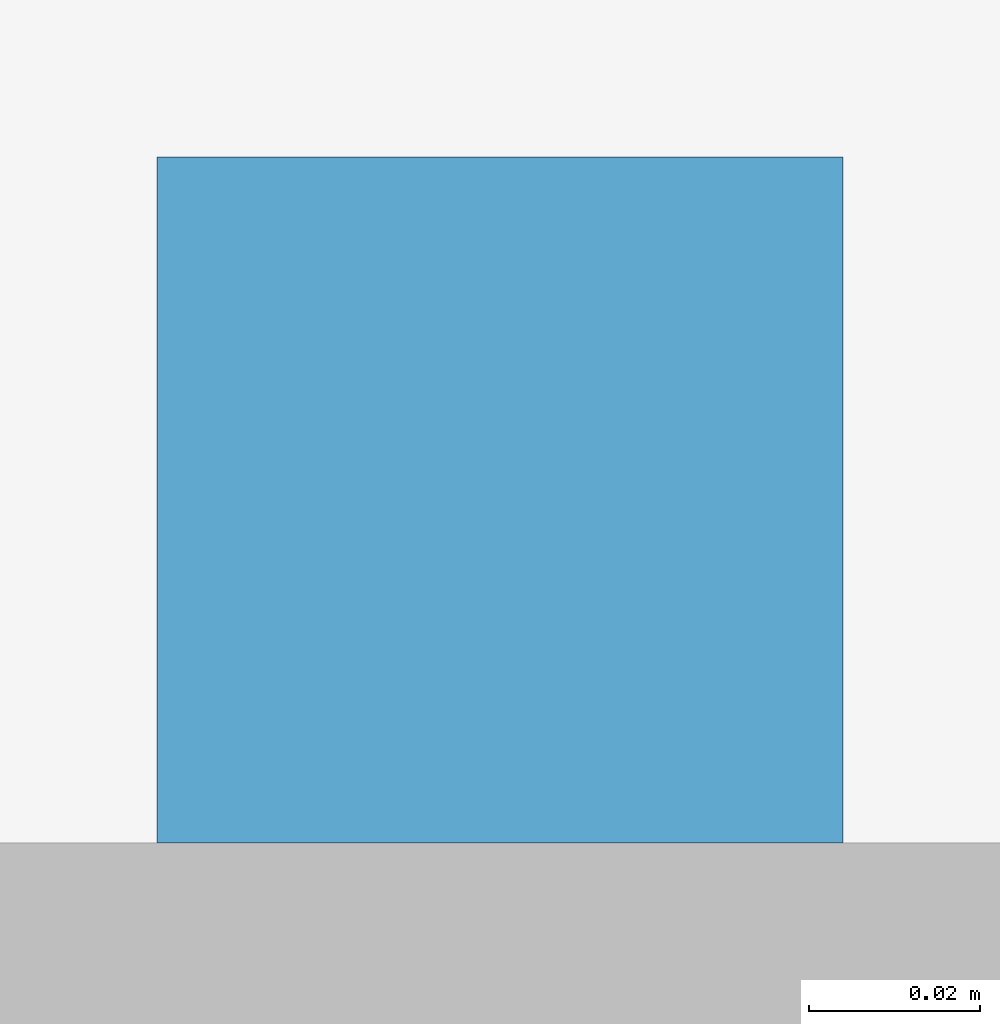
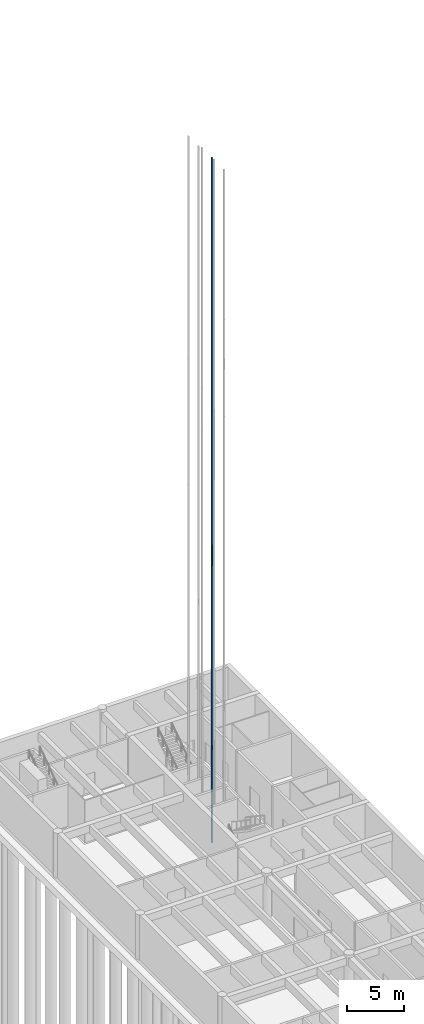
# One storey, part 11 of 24: 1 building element part.
"""IFC4 building model written with IfcOpenShell, lengths in metres."""

import ifcopenshell
import ifcopenshell.guid

model = None  # the IFC model being written
_history = None  # IfcOwnerHistory: only IFC2X3 demands one
_inside = {}  # id of a spatial element -> (the spatial element, [elements in it])
_under = {}  # id of a project, library or spatial element -> (it, [spatial elements below it])
_declared = {}  # id of a project -> (the project, [libraries it declares])
_typed = {}  # id of a type object -> (the type object, [elements of that type])
_made_of = {}  # id of a material, layer set ... -> (it, [elements and type objects made of it])


def new_model(schema):
    """Start an empty IFC model of exactly this schema.

    Asked for "IFC4X3", IfcOpenShell would pick the latest addendum, in which some entities
    have other attributes; the version numbers below select the first issue.
    IFC2X3 requires an IfcOwnerHistory on every rooted entity: one is made here for all.
    """
    global model, _history
    if schema == "IFC4X3":
        model = ifcopenshell.file(schema_version=(4, 3, 0, 0))
    else:
        model = ifcopenshell.file(schema=schema)
    _inside.clear()
    _under.clear()
    _declared.clear()
    _typed.clear()
    _made_of.clear()
    _history = None
    if model.schema == "IFC2X3":
        org = make("IfcOrganization", Name="unknown")
        user = make(
            "IfcPersonAndOrganization",
            ThePerson=make("IfcPerson", FamilyName="unknown"),
            TheOrganization=org,
        )
        app = make(
            "IfcApplication",
            ApplicationDeveloper=org,
            Version="unknown",
            ApplicationFullName="unknown",
            ApplicationIdentifier="unknown",
        )
        _history = make(
            "IfcOwnerHistory",
            OwningUser=user,
            OwningApplication=app,
            ChangeAction="ADDED",
            CreationDate=0,
        )
    return model


def make(cls, **values):
    """One entity of the class cls with the attributes given. An attribute that is None is left unset."""
    return model.create_entity(
        cls, **{name: value for name, value in values.items() if value is not None}
    )


def rooted(cls, **values):
    """An entity with a GlobalId (a new one), such as an element, a storey or a relation."""
    return make(cls, GlobalId=ifcopenshell.guid.new(), OwnerHistory=_history, **values)


def si_unit(unit_type, name, prefix=None):
    """IfcSIUnit, for example si_unit("LENGTHUNIT", "METRE", prefix="MILLI")."""
    return make("IfcSIUnit", UnitType=unit_type, Prefix=prefix, Name=name)


def assignment(units):
    """IfcUnitAssignment: the units of a project."""
    return None if units is None else make("IfcUnitAssignment", Units=units)


def point(xyz):
    """IfcCartesianPoint."""
    return None if xyz is None else make("IfcCartesianPoint", Coordinates=xyz)


def direction(xyz):
    """IfcDirection."""
    return None if xyz is None else make("IfcDirection", DirectionRatios=xyz)


def frame(location, z_axis=None, x_axis=None):
    """IfcAxis2Placement3D, a coordinate frame: its origin and axes. An axis left out is left unset."""
    return make(
        "IfcAxis2Placement3D",
        Location=point(location),
        Axis=direction(z_axis),
        RefDirection=direction(x_axis),
    )


def frame_2d(location, x_axis=None):
    """IfcAxis2Placement2D, a coordinate frame in the plane: its origin and x axis."""
    return make(
        "IfcAxis2Placement2D", Location=point(location), RefDirection=direction(x_axis)
    )


def origin():
    """The frame at (0, 0, 0) with its axes left unset."""
    return frame((0.0, 0.0, 0.0))


def origin_2d():
    """The frame at (0, 0) in the plane with its x axis left unset."""
    return frame_2d((0.0, 0.0))


def place(relative_to, where):
    """IfcLocalPlacement: puts the frame where relative to a parent placement (None: the world)."""
    return make(
        "IfcLocalPlacement", PlacementRelTo=relative_to, RelativePlacement=where
    )


def context(
    kind, dimensions, precision=None, world=None, true_north=None, identifier=None
):
    """IfcGeometricRepresentationContext, for example the 3D "Model" context."""
    return make(
        "IfcGeometricRepresentationContext",
        ContextIdentifier=identifier,
        ContextType=kind,
        CoordinateSpaceDimension=dimensions,
        Precision=precision,
        WorldCoordinateSystem=world,
        TrueNorth=true_north,
    )


def subcontext(parent, identifier, kind, view, scale=None):
    """IfcGeometricRepresentationSubContext, for example "Body" below "Model"."""
    return make(
        "IfcGeometricRepresentationSubContext",
        ContextIdentifier=identifier,
        ContextType=kind,
        ParentContext=parent,
        TargetScale=scale,
        TargetView=view,
    )


def project(units=None, contexts=None):
    """IfcProject with its units and contexts."""
    return rooted(
        "IfcProject",
        Name="project",
        RepresentationContexts=contexts,
        UnitsInContext=assignment(units),
    )


def spatial(cls, under=None, at=None, **own):
    """A site, building, storey or space (cls), placed at a placement, below another one or the project."""
    s = rooted(cls, ObjectPlacement=at, **own)
    if under is not None:
        _under.setdefault(under.id(), (under, []))[1].append(s)
    return s


def profile(cls, at=None, kind="AREA", **sizes):
    """A parametric profile (cls). Its sizes go by their IFC names, for example OverallWidth=200.0."""
    return make(cls, ProfileType=kind, Position=at, **sizes)


def rectangle(**sizes):
    """IfcRectangleProfileDef."""
    return profile("IfcRectangleProfileDef", **sizes)


def extrude(swept, where, along, depth):
    """IfcExtrudedAreaSolid: the profile swept, set in the frame where, extruded along a direction by depth."""
    return make(
        "IfcExtrudedAreaSolid",
        SweptArea=swept,
        Position=where,
        ExtrudedDirection=direction(along),
        Depth=depth,
    )


def shape(context_of_items, identifier, shape_type, items):
    """IfcShapeRepresentation: the items that make up one representation, for example the "Body"."""
    return make(
        "IfcShapeRepresentation",
        ContextOfItems=context_of_items,
        RepresentationIdentifier=identifier,
        RepresentationType=shape_type,
        Items=items,
    )


def made_of(thing, what):
    """Note that an element or type object is made of a material, layer set ...; save() writes the relation."""
    if what is not None:
        _made_of.setdefault(what.id(), (what, []))[1].append(thing)
    return thing


def element(
    cls,
    number,
    at=None,
    inside=None,
    cuts=None,
    type_object=None,
    material=None,
    context=None,
    identifier="Body",
    shape_type=None,
    held_by="IfcProductDefinitionShape",
    body=None,
    shapes=None,
    **own,
):
    """One element of the class cls, such as IfcWall. Its Tag is "e" and its number.

    at: its placement. inside: the storey or other place that contains it. cuts: it is an
    opening in that element (IfcRelVoidsElement). A single representation is given by context,
    identifier, shape_type and body (its items); several are given by shapes. held_by: the class
    of the entity that holds the representations. save() writes the other relations.
    """
    e = rooted(cls, Tag="e%d" % number, ObjectPlacement=at, **own)
    if body is not None:
        shapes = [shape(context, identifier, shape_type, body)]
    if shapes is not None:
        e.Representation = make(held_by, Representations=shapes)
    if inside is not None:
        _inside.setdefault(inside.id(), (inside, []))[1].append(e)
    if cuts is not None:
        rooted(
            "IfcRelVoidsElement", RelatingBuildingElement=cuts, RelatedOpeningElement=e
        )
    if type_object is not None:
        _typed.setdefault(type_object.id(), (type_object, []))[1].append(e)
    return made_of(e, material)


def aggregate(whole, parts):
    """IfcRelAggregates: a whole, such as a stair, and the parts it consists of."""
    return rooted("IfcRelAggregates", RelatingObject=whole, RelatedObjects=parts)


def save(model, path):
    """Write the relations noted so far, then the file.

    IfcRelAggregates (storeys below a building ...), IfcRelContainedInSpatialStructure (elements
    in a storey), IfcRelDefinesByType, IfcRelAssociatesMaterial and IfcRelDeclares: one each for
    every whole, place, type object, material and project.
    """
    for whole, parts in _under.values():
        aggregate(whole, parts)
    for where, things in _inside.values():
        rooted(
            "IfcRelContainedInSpatialStructure",
            RelatedElements=things,
            RelatingStructure=where,
        )
    for kind, things in _typed.values():
        rooted("IfcRelDefinesByType", RelatedObjects=things, RelatingType=kind)
    for what, things in _made_of.values():
        rooted("IfcRelAssociatesMaterial", RelatedObjects=things, RelatingMaterial=what)
    for by, libraries in _declared.values():
        rooted("IfcRelDeclares", RelatingContext=by, RelatedDefinitions=libraries)
    model.write(path)


model = new_model("IFC4")

# Units and contexts
model_context = context("Model", 3, precision=1e-05, world=origin(), true_north=direction((0.0, 1.0)))
body_context = subcontext(model_context, "Body", "Model", "MODEL_VIEW")
ifc_project = project(units=[si_unit("LENGTHUNIT", "METRE"), si_unit("AREAUNIT", "SQUARE_METRE"), si_unit("VOLUMEUNIT", "CUBIC_METRE"), si_unit("PLANEANGLEUNIT", "RADIAN"), si_unit("MASSUNIT", "GRAM", prefix="KILO")], contexts=[model_context])

# Site, building, storey
site_placement = place(None, origin())
site = spatial("IfcSite", under=ifc_project, at=site_placement, CompositionType="ELEMENT")
building_placement = place(site_placement, origin())
building = spatial("IfcBuilding", under=site, at=building_placement, Name="Fogon Plaza Fire Station and Headquarters Tower", CompositionType="ELEMENT")
storey_placement = place(building_placement, frame((0.0, 0.0, -4.800048828125)))
storey = spatial("IfcBuildingStorey", under=building, at=storey_placement, Name="B1", CompositionType="ELEMENT", Elevation=-4.800048828125)

# Building element part
building_element_part_placement = place(storey_placement, frame((15.074951171875, 42.31494140625, -1.19970703125), z_axis=(0.0, 0.0, 1.0), x_axis=(1.0, 0.0, 0.0)))
element("IfcBuildingElementPart", 1, at=building_element_part_placement, inside=storey, Name="Guide rail LP2 1", ObjectType="Guide rail", PredefinedType="USERDEFINED", context=body_context, shape_type="SweptSolid", body=[
    extrude(rectangle(XDim=0.080078125, YDim=0.080078125, at=origin_2d()), origin(), (0.0, 0.0, 1.0), 73.199951171875),
])

save(model, "model.ifc")
